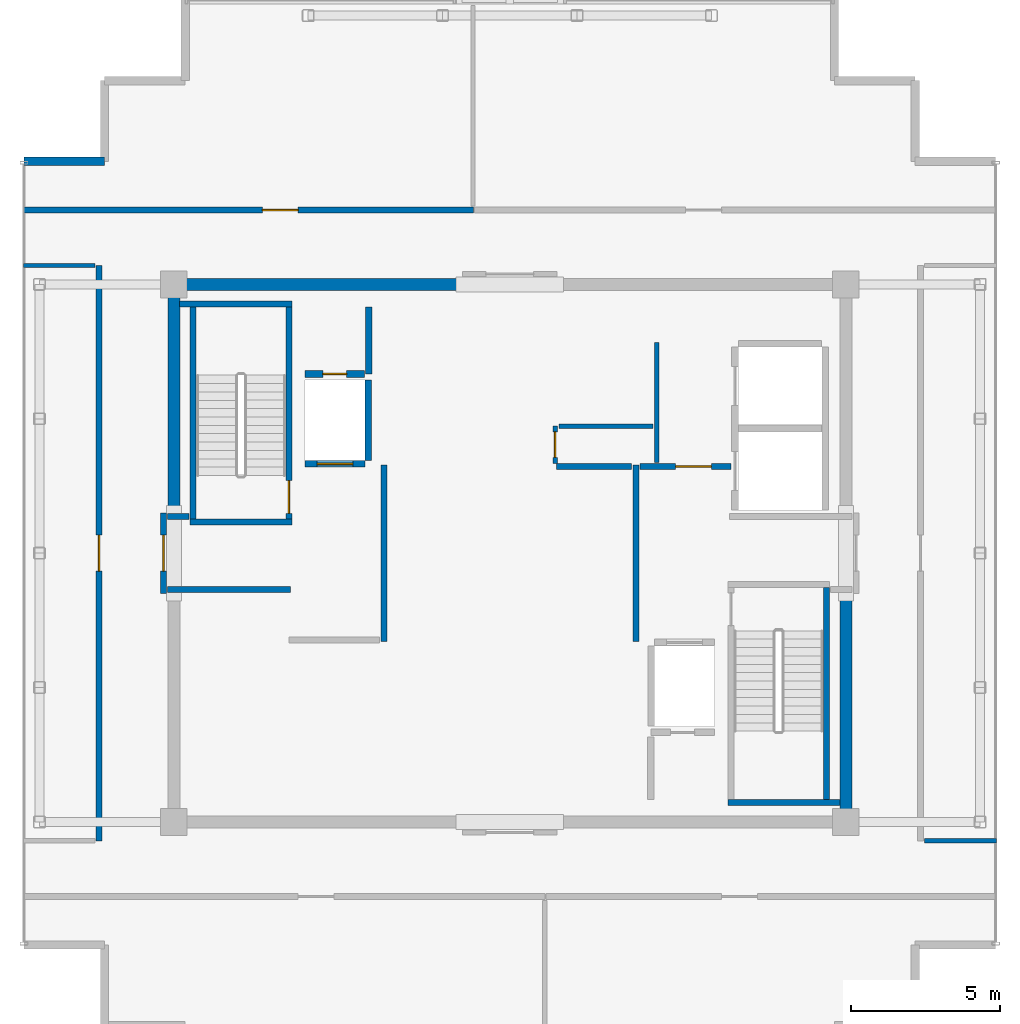
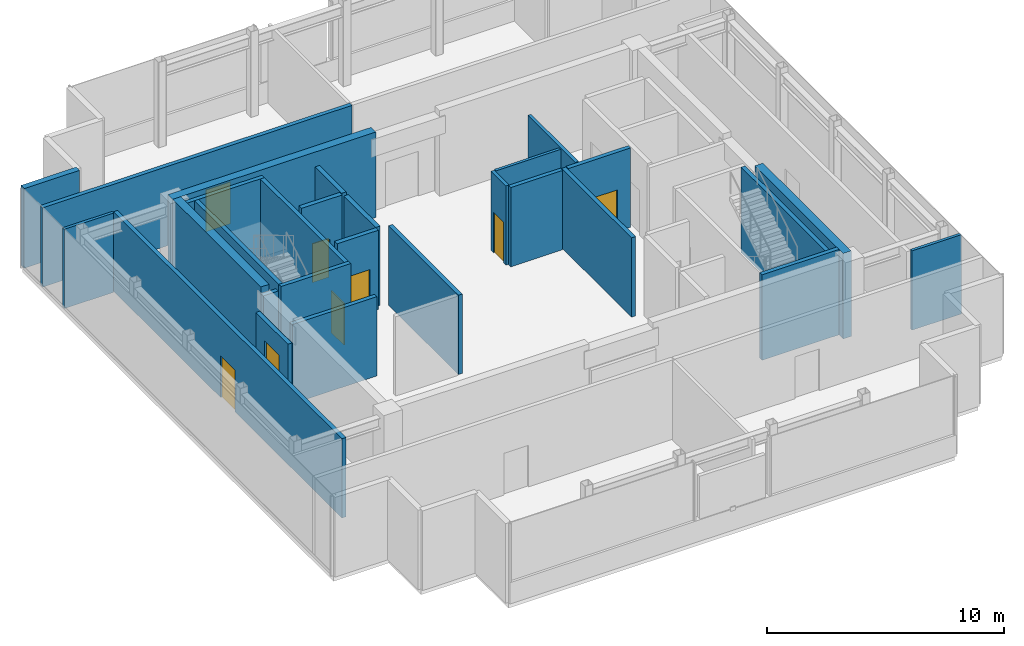
# One storey, part 12 of 14: 28 walls, 8 doors, 8 openings.
"""IFC4 building model written with IfcOpenShell, lengths in metres."""

from ifc_helpers import new_model, si_unit, direction, frame, frame_2d, origin, place, context, subcontext, project, spatial, rectangle, extrude, source, transform, mapped, material, layer, layer_set, type_object, element, fill, save


model = new_model("IFC4")

# Units and contexts
model_context = context("Model", 3, precision=1e-05, world=origin(), true_north=direction((0.0, 1.0)))
body_context = subcontext(model_context, "Body", "Model", "MODEL_VIEW")
ifc_project = project(units=[si_unit("LENGTHUNIT", "METRE"), si_unit("AREAUNIT", "SQUARE_METRE"), si_unit("VOLUMEUNIT", "CUBIC_METRE"), si_unit("PLANEANGLEUNIT", "RADIAN"), si_unit("MASSUNIT", "GRAM", prefix="KILO")], contexts=[model_context])

# Site, building, storey
site_placement = place(None, origin())
site = spatial("IfcSite", under=ifc_project, at=site_placement, CompositionType="ELEMENT")
building_placement = place(site_placement, origin())
building = spatial("IfcBuilding", under=site, at=building_placement, Name="Nefas-Gora Pilgrimage Tower", CompositionType="ELEMENT")
storey_placement = place(building_placement, frame((0.0, 0.0, 363.0)))
storey = spatial("IfcBuildingStorey", under=building, at=storey_placement, Name="L91", CompositionType="ELEMENT", Elevation=363.0)

# Walls
ifc_material_1 = material(Name="Concrete C50/60", Category="concrete")
ifc_layer_1 = layer(ifc_material_1, 0.39990234375)
ifc_layer_set_1 = layer_set([ifc_layer_1], Name="Concrete C50/60")
wall_type_1 = type_object("IfcWallType", Name="SW-CORE-400", PredefinedType="SHEAR", material=ifc_layer_set_1)
shared_shape_1 = source(origin(), body_context, "Body", "SweptSolid", [
    extrude(rectangle(XDim=9.89990234375, YDim=0.39990234375, at=frame_2d((4.949951171875, 0.0))), origin(), (0.0, 0.0, 1.0), 4.39990234375),
])
wall_1_placement = place(storey_placement, frame((-11.449951171875, 9.0, 0.0), z_axis=(0.0, 0.0, 1.0), x_axis=(1.0, 0.0, 0.0)))
element("IfcWall", 1, at=wall_1_placement, inside=storey, type_object=wall_type_1, Name="L91 Core Shear Wall N-West", PredefinedType="SHEAR", context=body_context, shape_type="MappedRepresentation", body=[
    mapped(shared_shape_1, transform((0.0, 0.0, 0.0), x_axis=(1.0, 0.0, 0.0), y_axis=(0.0, 1.0, 0.0), z_axis=(0.0, 0.0, 1.0), scale=1.0)),
])
shared_shape_2 = source(origin(), body_context, "Body", "SweptSolid", [
    extrude(rectangle(XDim=7.449951171875, YDim=0.39990234375, at=frame_2d((3.72509765625, 0.0))), origin(), (0.0, 0.0, 1.0), 4.39990234375),
])
for number, where, z_axis, x_axis, name in (
    (2, (-11.25, 1.35009765625, 0.0), (0.0, 0.0, 1.0), (0.0, 1.0, 0.0), "L91 Core Shear Wall W-North"),
    (3, (11.25, -8.800048828125, 0.0), (0.0, 0.0, 1.0), (0.0, 1.0, 0.0), "L91 Core Shear Wall E-South"),
):
    element("IfcWall", number, at=place(storey_placement, frame(where, z_axis=z_axis, x_axis=x_axis)), inside=storey, type_object=wall_type_1, Name=name, PredefinedType="SHEAR", context=body_context, shape_type="MappedRepresentation", body=[
        mapped(shared_shape_2, transform((0.0, 0.0, 0.0), x_axis=(1.0, 0.0, 0.0), y_axis=(0.0, 1.0, 0.0), z_axis=(0.0, 0.0, 1.0), scale=1.0)),
    ])
ifc_material_2 = material(Name="Precast concrete C45/55", Category="concrete")
ifc_layer_2 = layer(ifc_material_2, 0.280029296875)
ifc_layer_set_2 = layer_set([ifc_layer_2], Name="Precast concrete C45/55")
wall_type_2 = type_object("IfcWallType", Name="EW-PLANT-280", PredefinedType="SOLIDWALL", material=ifc_layer_set_2)
shared_shape_3 = source(origin(), body_context, "Body", "SweptSolid", [
    extrude(rectangle(XDim=2.699951171875, YDim=0.280029296875, at=frame_2d((1.35009765625, 0.0))), origin(), (0.0, 0.0, 1.0), 4.10009765625),
])
wall_2_placement = place(storey_placement, frame((-13.570068359375, 13.1201171875, 0.0), z_axis=(0.0, 0.0, 1.0), x_axis=(-1.0, 0.0, 0.0)))
element("IfcWall", 4, at=wall_2_placement, inside=storey, type_object=wall_type_2, Name="L91 Serrated Corner Shear Pier Wall 9", PredefinedType="SOLIDWALL", context=body_context, shape_type="MappedRepresentation", body=[
    mapped(shared_shape_3, transform((0.0, 0.0, 0.0), x_axis=(1.0, 0.0, 0.0), y_axis=(0.0, 1.0, 0.0), z_axis=(0.0, 0.0, 1.0), scale=1.0)),
])
ifc_material_3 = material(Name="Concrete C45/55", Category="concrete")
ifc_layer_3 = layer(ifc_material_3, 0.199951171875)
ifc_layer_set_3 = layer_set([ifc_layer_3], Name="Concrete C45/55")
wall_type_3 = type_object("IfcWallType", Name="IW-STAIR-200", PredefinedType="SOLIDWALL", material=ifc_layer_set_3)
shared_shape_4 = source(origin(), body_context, "Body", "SweptSolid", [
    extrude(rectangle(XDim=3.39990234375, YDim=0.199951171875, at=frame_2d((1.699951171875, 0.0))), origin(), (0.0, 0.0, 1.0), 4.39990234375),
])
wall_3_placement = place(storey_placement, frame((-7.300048828125, 1.050048828125, 0.0), z_axis=(0.0, 0.0, 1.0), x_axis=(-1.0, 0.0, 0.0)))
element("IfcWall", 5, at=wall_3_placement, inside=storey, type_object=wall_type_3, Name="L91 Stairwell Shear Wall ST-01-near", PredefinedType="SOLIDWALL", context=body_context, shape_type="MappedRepresentation", body=[
    mapped(shared_shape_4, transform((0.0, 0.0, 0.0), x_axis=(1.0, 0.0, 0.0), y_axis=(0.0, 1.0, 0.0), z_axis=(0.0, 0.0, 1.0), scale=1.0)),
])
shared_shape_5 = source(origin(), body_context, "Body", "SweptSolid", [
    extrude(rectangle(XDim=3.7548828125, YDim=0.199951171875, at=frame_2d((1.87744140625, 0.0))), origin(), (0.0, 0.0, 1.0), 4.39990234375),
])
for number, where, z_axis, x_axis, name in (
    (6, (-7.300048828125, 8.35009765625, 0.0), (0.0, 0.0, 1.0), (-1.0, 0.0, 0.0), "L91 Stairwell Shear Wall ST-01-far"),
    (7, (7.300048828125, -8.35009765625, 0.0), (0.0, 0.0, 1.0), (1.0, 0.0, 0.0), "L91 Stairwell Shear Wall ST-02-far"),
):
    element("IfcWall", number, at=place(storey_placement, frame(where, z_axis=z_axis, x_axis=x_axis)), inside=storey, type_object=wall_type_3, Name=name, PredefinedType="SOLIDWALL", context=body_context, shape_type="MappedRepresentation", body=[
        mapped(shared_shape_5, transform((0.0, 0.0, 0.0), x_axis=(1.0, 0.0, 0.0), y_axis=(0.0, 1.0, 0.0), z_axis=(0.0, 0.0, 1.0), scale=1.0)),
    ])

# Wall, opening, door
shared_shape_6 = source(origin(), body_context, "Body", "SweptSolid", [
    extrude(rectangle(XDim=7.10009765625, YDim=0.199951171875, at=frame_2d((3.550048828125, 0.0))), origin(), (0.0, 0.0, 1.0), 4.39990234375),
])
wall_4_placement = place(storey_placement, frame((-7.39990234375, 1.14990234375, 0.0), z_axis=(0.0, 0.0, 1.0), x_axis=(0.0, 1.0, 0.0)))
wall_4 = element("IfcWall", 8, at=wall_4_placement, inside=storey, type_object=wall_type_3, Name="L91 Stairwell Shear Wall ST-01-left", PredefinedType="SOLIDWALL", context=body_context, shape_type="MappedRepresentation", body=[
    mapped(shared_shape_6, transform((0.0, 0.0, 0.0), x_axis=(1.0, 0.0, 0.0), y_axis=(0.0, 1.0, 0.0), z_axis=(0.0, 0.0, 1.0), scale=1.0)),
])
opening_1_placement = place(wall_4_placement, frame((0.179931640625, 0.0, 0.0)))
opening_1 = element("IfcOpeningElement", 9, at=opening_1_placement, cuts=wall_4, Name="Opening ID-ST1", PredefinedType="OPENING", context=body_context, shape_type="SweptSolid", body=[
    extrude(rectangle(XDim=1.10009765625, YDim=2.14990234375, at=frame_2d((0.550048828125, 1.074951171875))), frame((0.0, 0.10986328125, 0.0), z_axis=(0.0, -1.0, 0.0), x_axis=(1.0, 0.0, 0.0)), (0.0, 0.0, 1.0), 0.219970703125),
])
ifc_material_4 = material(Name="Painted galvanised steel fire stair door", Category="steel")
door_type_1 = type_object("IfcDoorType", Name="DR-INT-STAIR-1100", OperationType="NOTDEFINED", PredefinedType="DOOR", material=ifc_material_4)
shared_shape_7 = source(origin(), body_context, "Body", "SweptSolid", [
    extrude(rectangle(XDim=1.10009765625, YDim=2.14990234375, at=frame_2d((0.550048828125, 1.074951171875))), frame((0.0, 0.02490234375, 0.0), z_axis=(0.0, -1.0, 0.0), x_axis=(1.0, 0.0, 0.0)), (0.0, 0.0, 1.0), 0.050048828125),
])
door_1_placement = place(opening_1_placement, origin())
door_1 = element("IfcDoor", 10, at=door_1_placement, inside=storey, type_object=door_type_1, Name="L91 Protected Exit Stair Door ST-01", OperationType="SINGLE_SWING_LEFT", OverallHeight=2.14990234375, OverallWidth=1.10009765625, PredefinedType="DOOR", context=body_context, shape_type="MappedRepresentation", body=[
    mapped(shared_shape_7, transform((0.0, 0.0, 0.0), x_axis=(1.0, 0.0, 0.0), y_axis=(0.0, 1.0, 0.0), z_axis=(0.0, 0.0, 1.0), scale=1.0)),
])
fill(opening_1, door_1)

# Walls
for number, where, z_axis, x_axis, name in (
    (11, (-10.60009765625, 1.14990234375, 0.0), (0.0, 0.0, 1.0), (0.0, 1.0, 0.0), "L91 Stairwell Shear Wall ST-01-right"),
    (12, (10.60009765625, -1.14990234375, 0.0), (0.0, 0.0, 1.0), (0.0, -1.0, 0.0), "L91 Stairwell Shear Wall ST-02-right"),
):
    element("IfcWall", number, at=place(storey_placement, frame(where, z_axis=z_axis, x_axis=x_axis)), inside=storey, type_object=wall_type_3, Name=name, PredefinedType="SOLIDWALL", context=body_context, shape_type="MappedRepresentation", body=[
        mapped(shared_shape_6, transform((0.0, 0.0, 0.0), x_axis=(1.0, 0.0, 0.0), y_axis=(0.0, 1.0, 0.0), z_axis=(0.0, 0.0, 1.0), scale=1.0)),
    ])

# Wall, opening, door
ifc_material_5 = material(Name="Concrete C40/50", Category="concrete")
ifc_layer_4 = layer(ifc_material_5, 0.219970703125)
ifc_layer_set_4 = layer_set([ifc_layer_4], Name="Concrete C40/50")
wall_type_4 = type_object("IfcWallType", Name="IW-SHAFT-220", PredefinedType="SOLIDWALL", material=ifc_layer_set_4)
shared_shape_8 = source(origin(), body_context, "Body", "SweptSolid", [
    extrude(rectangle(XDim=2.0, YDim=0.219970703125, at=frame_2d((1.0, 0.0))), origin(), (0.0, 0.0, 1.0), 4.0849609375),
])
wall_5_placement = place(storey_placement, frame((-6.85009765625, 2.989990234375, 0.0), z_axis=(0.0, 0.0, 1.0), x_axis=(1.0, 0.0, 0.0)))
wall_5 = element("IfcWall", 13, at=wall_5_placement, inside=storey, type_object=wall_type_4, Name="L91 Hoistway Wall FFL-01-S", PredefinedType="SOLIDWALL", context=body_context, shape_type="MappedRepresentation", body=[
    mapped(shared_shape_8, transform((0.0, 0.0, 0.0), x_axis=(1.0, 0.0, 0.0), y_axis=(0.0, 1.0, 0.0), z_axis=(0.0, 0.0, 1.0), scale=1.0)),
])
opening_2_placement = place(wall_5_placement, frame((0.39990234375, 0.0, 0.0)))
opening_2 = element("IfcOpeningElement", 14, at=opening_2_placement, cuts=wall_5, Name="Opening LD-FF", PredefinedType="OPENING", context=body_context, shape_type="SweptSolid", body=[
    extrude(rectangle(XDim=1.199951171875, YDim=2.199951171875, at=frame_2d((0.60009765625, 1.10009765625))), frame((0.0, 0.119873046875, 0.0), z_axis=(0.0, -1.0, 0.0), x_axis=(1.0, 0.0, 0.0)), (0.0, 0.0, 1.0), 0.239990234375),
])
ifc_material_6 = material(Name="Fire-service sliding lift landing door")
door_type_2 = type_object("IfcDoorType", Name="DR-LIFT-FSAE-1200", OperationType="SLIDING_TO_LEFT", PredefinedType="DOOR", material=ifc_material_6)
shared_shape_9 = source(origin(), body_context, "Body", "SweptSolid", [
    extrude(rectangle(XDim=1.199951171875, YDim=2.199951171875, at=frame_2d((0.60009765625, 1.10009765625))), frame((0.0, 0.02490234375, 0.0), z_axis=(0.0, -1.0, 0.0), x_axis=(1.0, 0.0, 0.0)), (0.0, 0.0, 1.0), 0.050048828125),
])
door_2_placement = place(opening_2_placement, origin())
door_2 = element("IfcDoor", 15, at=door_2_placement, inside=storey, type_object=door_type_2, Name="L91 Sliding Lift Landing Door FFL-01", OperationType="SLIDING_TO_LEFT", OverallHeight=2.199951171875, OverallWidth=1.199951171875, PredefinedType="DOOR", context=body_context, shape_type="MappedRepresentation", body=[
    mapped(shared_shape_9, transform((0.0, 0.0, 0.0), x_axis=(1.0, 0.0, 0.0), y_axis=(0.0, 1.0, 0.0), z_axis=(0.0, 0.0, 1.0), scale=1.0)),
])
fill(opening_2, door_2)

# Walls
shared_shape_10 = source(origin(), body_context, "Body", "SweptSolid", [
    extrude(rectangle(XDim=2.679931640625, YDim=0.219970703125, at=frame_2d((1.33984375, 0.0))), origin(), (0.0, 0.0, 1.0), 4.0849609375),
])
wall_6_placement = place(storey_placement, frame((-4.739990234375, 3.110107421875, 0.0), z_axis=(0.0, 0.0, 1.0), x_axis=(0.0, 1.0, 0.0)))
element("IfcWall", 16, at=wall_6_placement, inside=storey, type_object=wall_type_4, Name="L91 Hoistway Wall FFL-01-E", PredefinedType="SOLIDWALL", context=body_context, shape_type="MappedRepresentation", body=[
    mapped(shared_shape_10, transform((0.0, 0.0, 0.0), x_axis=(1.0, 0.0, 0.0), y_axis=(0.0, 1.0, 0.0), z_axis=(0.0, 0.0, 1.0), scale=1.0)),
])
shared_shape_11 = source(origin(), body_context, "Body", "SweptSolid", [
    extrude(rectangle(XDim=2.25, YDim=0.219970703125, at=frame_2d((1.125, 0.0))), origin(), (0.0, 0.0, 1.0), 4.0849609375),
])
wall_7_placement = place(storey_placement, frame((-4.719970703125, 6.0, 0.0), z_axis=(0.0, 0.0, 1.0), x_axis=(0.0, 1.0, 0.0)))
element("IfcWall", 17, at=wall_7_placement, inside=storey, type_object=wall_type_4, Name="L91 Riser Shaft Wall 1", PredefinedType="SOLIDWALL", context=body_context, shape_type="MappedRepresentation", body=[
    mapped(shared_shape_11, transform((0.0, 0.0, 0.0), x_axis=(1.0, 0.0, 0.0), y_axis=(0.0, 1.0, 0.0), z_axis=(0.0, 0.0, 1.0), scale=1.0)),
])

# Wall, opening, door
shared_shape_12 = source(origin(), body_context, "Body", "SweptSolid", [
    extrude(rectangle(XDim=1.97998046875, YDim=0.219970703125, at=frame_2d((0.989990234375, 0.0))), origin(), (0.0, 0.0, 1.0), 4.0849609375),
])
wall_8_placement = place(storey_placement, frame((-6.85009765625, 6.0, 0.0), z_axis=(0.0, 0.0, 1.0), x_axis=(1.0, 0.0, 0.0)))
wall_8 = element("IfcWall", 18, at=wall_8_placement, inside=storey, type_object=wall_type_4, Name="L91 Riser Shaft Wall 2", PredefinedType="SOLIDWALL", context=body_context, shape_type="MappedRepresentation", body=[
    mapped(shared_shape_12, transform((0.0, 0.0, 0.0), x_axis=(1.0, 0.0, 0.0), y_axis=(0.0, 1.0, 0.0), z_axis=(0.0, 0.0, 1.0), scale=1.0)),
])
opening_3_placement = place(wall_8_placement, frame((0.590087890625, 0.0, 0.0)))
opening_3 = element("IfcOpeningElement", 19, at=opening_3_placement, cuts=wall_8, Name="Opening ID-TR1", PredefinedType="OPENING", context=body_context, shape_type="SweptSolid", body=[
    extrude(rectangle(XDim=0.800048828125, YDim=2.0, at=frame_2d((0.39990234375, 1.0))), frame((0.0, 0.119873046875, 0.0), z_axis=(0.0, -1.0, 0.0), x_axis=(1.0, 0.0, 0.0)), (0.0, 0.0, 1.0), 0.239990234375),
])
ifc_material_7 = material(Name="Riser maintenance fire access door")
door_type_3 = type_object("IfcDoorType", Name="DR-INT-TRAP-800", OperationType="NOTDEFINED", PredefinedType="TRAPDOOR", material=ifc_material_7)
shared_shape_13 = source(origin(), body_context, "Body", "SweptSolid", [
    extrude(rectangle(XDim=0.800048828125, YDim=2.0, at=frame_2d((0.39990234375, 1.0))), frame((0.0, 0.02490234375, 0.0), z_axis=(0.0, -1.0, 0.0), x_axis=(1.0, 0.0, 0.0)), (0.0, 0.0, 1.0), 0.050048828125),
])
door_3_placement = place(opening_3_placement, origin())
door_3 = element("IfcDoor", 20, at=door_3_placement, inside=storey, type_object=door_type_3, Name="L91 Riser Shaft Door 1", OperationType="SINGLE_SWING_LEFT", OverallHeight=2.0, OverallWidth=0.800048828125, PredefinedType="TRAPDOOR", context=body_context, shape_type="MappedRepresentation", body=[
    mapped(shared_shape_13, transform((0.0, 0.0, 0.0), x_axis=(1.0, 0.0, 0.0), y_axis=(0.0, 1.0, 0.0), z_axis=(0.0, 0.0, 1.0), scale=1.0)),
])
fill(opening_3, door_3)

# Walls
ifc_material_8 = material(Name="Gypsum fire-rated shaftwall")
ifc_layer_5 = layer(ifc_material_8, 0.199951171875)
ifc_layer_set_5 = layer_set([ifc_layer_5], Name="Gypsum fire-rated shaftwall")
wall_type_5 = type_object("IfcWallType", Name="IW-FFLOB-200", PredefinedType="PARTITIONING", material=ifc_layer_set_5)
shared_shape_14 = source(origin(), body_context, "Body", "SweptSolid", [
    extrude(rectangle(XDim=5.89990234375, YDim=0.199951171875, at=frame_2d((2.949951171875, 0.0))), origin(), (0.0, 0.0, 1.0), 4.0849609375),
])
for number, where, z_axis, x_axis, name in (
    (21, (-4.219970703125, -2.949951171875, 0.0), (0.0, 0.0, 1.0), (0.0, 1.0, 0.0), "L91 FF Lobby West Inner Wall Wall 6"),
    (22, (4.219970703125, -2.949951171875, 0.0), (0.0, 0.0, 1.0), (0.0, 1.0, 0.0), "L91 FF Lobby East Inner Wall Wall 11"),
):
    element("IfcWall", number, at=place(storey_placement, frame(where, z_axis=z_axis, x_axis=x_axis)), inside=storey, type_object=wall_type_5, Name=name, PredefinedType="PARTITIONING", context=body_context, shape_type="MappedRepresentation", body=[
        mapped(shared_shape_14, transform((0.0, 0.0, 0.0), x_axis=(1.0, 0.0, 0.0), y_axis=(0.0, 1.0, 0.0), z_axis=(0.0, 0.0, 1.0), scale=1.0)),
    ])

# Wall, opening, door
shared_shape_15 = source(origin(), body_context, "Body", "SweptSolid", [
    extrude(rectangle(XDim=3.039794921875, YDim=0.199951171875, at=frame_2d((1.52001953125, 0.0))), origin(), (0.0, 0.0, 1.0), 4.0849609375),
])
wall_9_placement = place(storey_placement, frame((4.360107421875, 2.89990234375, 0.0), z_axis=(0.0, 0.0, 1.0), x_axis=(1.0, 0.0, 0.0)))
wall_9 = element("IfcWall", 23, at=wall_9_placement, inside=storey, type_object=wall_type_5, Name="L91 FF Lobby East North Wall Wall 13", PredefinedType="PARTITIONING", context=body_context, shape_type="MappedRepresentation", body=[
    mapped(shared_shape_15, transform((0.0, 0.0, 0.0), x_axis=(1.0, 0.0, 0.0), y_axis=(0.0, 1.0, 0.0), z_axis=(0.0, 0.0, 1.0), scale=1.0)),
])
opening_4_placement = place(wall_9_placement, frame((1.18994140625, 0.0, 0.0)))
opening_4 = element("IfcOpeningElement", 24, at=opening_4_placement, cuts=wall_9, Name="Opening ID-PL1", PredefinedType="OPENING", context=body_context, shape_type="SweptSolid", body=[
    extrude(rectangle(XDim=1.199951171875, YDim=2.14990234375, at=frame_2d((0.60009765625, 1.074951171875))), frame((0.0, 0.10986328125, 0.0), z_axis=(0.0, -1.0, 0.0), x_axis=(1.0, 0.0, 0.0)), (0.0, 0.0, 1.0), 0.219970703125),
])
ifc_material_9 = material(Name="Heavy-duty steel plant room fire door", Category="steel")
door_type_4 = type_object("IfcDoorType", Name="DR-INT-PLANT-1200", OperationType="NOTDEFINED", PredefinedType="DOOR", material=ifc_material_9)
shared_shape_16 = source(origin(), body_context, "Body", "SweptSolid", [
    extrude(rectangle(XDim=1.199951171875, YDim=2.14990234375, at=frame_2d((0.60009765625, 1.074951171875))), frame((0.0, 0.02490234375, 0.0), z_axis=(0.0, -1.0, 0.0), x_axis=(1.0, 0.0, 0.0)), (0.0, 0.0, 1.0), 0.050048828125),
])
door_4_placement = place(opening_4_placement, origin())
door_4 = element("IfcDoor", 25, at=door_4_placement, inside=storey, type_object=door_type_4, Name="L91 Service Lift Lobby Door Door 5", OperationType="SINGLE_SWING_LEFT", OverallHeight=2.14990234375, OverallWidth=1.199951171875, PredefinedType="DOOR", context=body_context, shape_type="MappedRepresentation", body=[
    mapped(shared_shape_16, transform((0.0, 0.0, 0.0), x_axis=(1.0, 0.0, 0.0), y_axis=(0.0, 1.0, 0.0), z_axis=(0.0, 0.0, 1.0), scale=1.0)),
])
fill(opening_4, door_4)

# Walls
shared_shape_17 = source(origin(), body_context, "Body", "SweptSolid", [
    extrude(rectangle(XDim=0.719970703125, YDim=0.199951171875, at=frame_2d((0.35986328125, 0.0))), origin(), (0.0, 0.0, 1.0), 4.0849609375),
])
wall_10_placement = place(storey_placement, frame((-11.4599609375, 1.219970703125, 0.0), z_axis=(0.0, 0.0, 1.0), x_axis=(1.0, 0.0, 0.0)))
element("IfcWall", 26, at=wall_10_placement, inside=storey, type_object=wall_type_5, Name="L91 FF Lobby West Throat N Wall 8", PredefinedType="PARTITIONING", context=body_context, shape_type="MappedRepresentation", body=[
    mapped(shared_shape_17, transform((0.0, 0.0, 0.0), x_axis=(1.0, 0.0, 0.0), y_axis=(0.0, 1.0, 0.0), z_axis=(0.0, 0.0, 1.0), scale=1.0)),
])
shared_shape_18 = source(origin(), body_context, "Body", "SweptSolid", [
    extrude(rectangle(XDim=4.10986328125, YDim=0.199951171875, at=frame_2d((2.054931640625, 0.0))), origin(), (0.0, 0.0, 1.0), 4.0849609375),
])
wall_11_placement = place(storey_placement, frame((-11.4599609375, -1.219970703125, 0.0), z_axis=(0.0, 0.0, 1.0), x_axis=(1.0, 0.0, 0.0)))
element("IfcWall", 27, at=wall_11_placement, inside=storey, type_object=wall_type_5, Name="L91 FF Lobby West Throat S Wall 9", PredefinedType="PARTITIONING", context=body_context, shape_type="MappedRepresentation", body=[
    mapped(shared_shape_18, transform((0.0, 0.0, 0.0), x_axis=(1.0, 0.0, 0.0), y_axis=(0.0, 1.0, 0.0), z_axis=(0.0, 0.0, 1.0), scale=1.0)),
])
shared_shape_19 = source(origin(), body_context, "Body", "SweptSolid", [
    extrude(rectangle(XDim=2.52001953125, YDim=0.199951171875, at=frame_2d((1.260009765625, 0.0))), origin(), (0.0, 0.0, 1.0), 4.0849609375),
])
wall_12_placement = place(storey_placement, frame((1.56005859375, 2.89990234375, 0.0), z_axis=(0.0, 0.0, 1.0), x_axis=(1.0, 0.0, 0.0)))
element("IfcWall", 28, at=wall_12_placement, inside=storey, type_object=wall_type_5, Name="L91 FF Lobby East North Wall Wall 12", PredefinedType="PARTITIONING", context=body_context, shape_type="MappedRepresentation", body=[
    mapped(shared_shape_19, transform((0.0, 0.0, 0.0), x_axis=(1.0, 0.0, 0.0), y_axis=(0.0, 1.0, 0.0), z_axis=(0.0, 0.0, 1.0), scale=1.0)),
])
ifc_material_10 = material(Name="Gypsum acoustic stud partition")
ifc_layer_6 = layer(ifc_material_10, 0.159912109375)
ifc_layer_set_6 = layer_set([ifc_layer_6], Name="Gypsum acoustic stud partition")
wall_type_6 = type_object("IfcWallType", Name="IW-CORR-160", PredefinedType="PARTITIONING", material=ifc_layer_set_6)
shared_shape_20 = source(origin(), body_context, "Body", "SweptSolid", [
    extrude(rectangle(XDim=4.010009765625, YDim=0.159912109375, at=frame_2d((2.0048828125, 0.0))), origin(), (0.0, 0.0, 1.0), 4.0849609375),
])
wall_13_placement = place(storey_placement, frame((4.919921875, 3.0400390625, 0.0), z_axis=(0.0, 0.0, 1.0), x_axis=(0.0, 1.0, 0.0)))
element("IfcWall", 29, at=wall_13_placement, inside=storey, type_object=wall_type_6, Name="L91 Service Lift Lobby West Wall Wall 18", PredefinedType="PARTITIONING", context=body_context, shape_type="MappedRepresentation", body=[
    mapped(shared_shape_20, transform((0.0, 0.0, 0.0), x_axis=(1.0, 0.0, 0.0), y_axis=(0.0, 1.0, 0.0), z_axis=(0.0, 0.0, 1.0), scale=1.0)),
])

# Wall, opening, door
shared_shape_21 = source(origin(), body_context, "Body", "SweptSolid", [
    extrude(rectangle(XDim=1.25, YDim=0.159912109375, at=frame_2d((0.625, 0.0))), origin(), (0.0, 0.0, 1.0), 4.0849609375),
])
wall_14_placement = place(storey_placement, frame((1.52001953125, 3.010009765625, 0.0), z_axis=(0.0, 0.0, 1.0), x_axis=(0.0, 1.0, 0.0)))
wall_14 = element("IfcWall", 30, at=wall_14_placement, inside=storey, type_object=wall_type_6, Name="L91 Core Communications Room Wall 19", PredefinedType="PARTITIONING", context=body_context, shape_type="MappedRepresentation", body=[
    mapped(shared_shape_21, transform((0.0, 0.0, 0.0), x_axis=(1.0, 0.0, 0.0), y_axis=(0.0, 1.0, 0.0), z_axis=(0.0, 0.0, 1.0), scale=1.0)),
])
opening_5_placement = place(wall_14_placement, frame((0.199951171875, 0.0, 0.0)))
opening_5 = element("IfcOpeningElement", 31, at=opening_5_placement, cuts=wall_14, Name="Opening ID-BT1", PredefinedType="OPENING", context=body_context, shape_type="SweptSolid", body=[
    extrude(rectangle(XDim=0.85009765625, YDim=2.10009765625, at=frame_2d((0.425048828125, 1.050048828125))), frame((0.0, 0.08984375, 0.0), z_axis=(0.0, -1.0, 0.0), x_axis=(1.0, 0.0, 0.0)), (0.0, 0.0, 1.0), 0.179931640625),
])
ifc_material_11 = material(Name="Moisture-resistant fire-rated timber door", Category="wood")
door_type_5 = type_object("IfcDoorType", Name="DR-INT-BATH-850", OperationType="NOTDEFINED", PredefinedType="DOOR", material=ifc_material_11)
shared_shape_22 = source(origin(), body_context, "Body", "SweptSolid", [
    extrude(rectangle(XDim=0.85009765625, YDim=2.10009765625, at=frame_2d((0.425048828125, 1.050048828125))), frame((0.0, 0.02490234375, 0.0), z_axis=(0.0, -1.0, 0.0), x_axis=(1.0, 0.0, 0.0)), (0.0, 0.0, 1.0), 0.050048828125),
])
door_5_placement = place(opening_5_placement, origin())
door_5 = element("IfcDoor", 32, at=door_5_placement, inside=storey, type_object=door_type_5, Name="L91 Core Communications Room Door 8", OperationType="SINGLE_SWING_RIGHT", OverallHeight=2.10009765625, OverallWidth=0.85009765625, PredefinedType="DOOR", context=body_context, shape_type="MappedRepresentation", body=[
    mapped(shared_shape_22, transform((0.0, 0.0, 0.0), x_axis=(1.0, 0.0, 0.0), y_axis=(0.0, 1.0, 0.0), z_axis=(0.0, 0.0, 1.0), scale=1.0)),
])
fill(opening_5, door_5)

# Wall
ifc_material_12 = material(Name="Gypsum twin-stud partition")
ifc_layer_7 = layer(ifc_material_12, 0.139892578125)
ifc_layer_set_7 = layer_set([ifc_layer_7], Name="Gypsum twin-stud partition")
wall_type_7 = type_object("IfcWallType", Name="IW-UNIT-140", PredefinedType="PARTITIONING", material=ifc_layer_set_7)
shared_shape_23 = source(origin(), body_context, "Body", "SweptSolid", [
    extrude(rectangle(XDim=3.150146484375, YDim=0.139892578125, at=frame_2d((1.5751953125, 0.0))), origin(), (0.0, 0.0, 1.0), 4.0849609375),
])
wall_15_placement = place(storey_placement, frame((1.639892578125, 4.25, 0.0), z_axis=(0.0, 0.0, 1.0), x_axis=(1.0, 0.0, 0.0)))
element("IfcWall", 33, at=wall_15_placement, inside=storey, type_object=wall_type_7, Name="L91 Core Communications Room Partition Wall 20", PredefinedType="PARTITIONING", context=body_context, shape_type="MappedRepresentation", body=[
    mapped(shared_shape_23, transform((0.0, 0.0, 0.0), x_axis=(1.0, 0.0, 0.0), y_axis=(0.0, 1.0, 0.0), z_axis=(0.0, 0.0, 1.0), scale=1.0)),
])

# Wall, opening, door
ifc_layer_8 = layer(ifc_material_5, 0.199951171875)
ifc_layer_set_8 = layer_set([ifc_layer_8], Name="Concrete C40/50")
wall_type_8 = type_object("IfcWallType", Name="IW-PLANT-200", PredefinedType="SOLIDWALL", material=ifc_layer_set_8)
shared_shape_24 = source(origin(), body_context, "Body", "SweptSolid", [
    extrude(rectangle(XDim=19.27978515625, YDim=0.199951171875, at=frame_2d((9.639892578125, 0.0))), origin(), (0.0, 0.0, 1.0), 4.0849609375),
])
wall_16_placement = place(storey_placement, frame((-13.75, -9.639892578125, 0.0), z_axis=(0.0, 0.0, 1.0), x_axis=(0.0, 1.0, 0.0)))
wall_16 = element("IfcWall", 34, at=wall_16_placement, inside=storey, type_object=wall_type_8, Name="L91 Emergency Power Switchgear Plant Room Partition Wall 21", PredefinedType="SOLIDWALL", context=body_context, shape_type="MappedRepresentation", body=[
    mapped(shared_shape_24, transform((0.0, 0.0, 0.0), x_axis=(1.0, 0.0, 0.0), y_axis=(0.0, 1.0, 0.0), z_axis=(0.0, 0.0, 1.0), scale=1.0)),
])
opening_6_placement = place(wall_16_placement, frame((9.0400390625, 0.0, 0.0)))
opening_6 = element("IfcOpeningElement", 35, at=opening_6_placement, cuts=wall_16, Name="Opening ID-PL1", PredefinedType="OPENING", context=body_context, shape_type="SweptSolid", body=[
    extrude(rectangle(XDim=1.199951171875, YDim=2.14990234375, at=frame_2d((0.60009765625, 1.074951171875))), frame((0.0, 0.10986328125, 0.0), z_axis=(0.0, -1.0, 0.0), x_axis=(1.0, 0.0, 0.0)), (0.0, 0.0, 1.0), 0.219970703125),
])
door_6_placement = place(opening_6_placement, origin())
door_6 = element("IfcDoor", 36, at=door_6_placement, inside=storey, type_object=door_type_4, Name="L91 Emergency Power Switchgear Plant Room Door 9", OperationType="SINGLE_SWING_LEFT", OverallHeight=2.14990234375, OverallWidth=1.199951171875, PredefinedType="DOOR", context=body_context, shape_type="MappedRepresentation", body=[
    mapped(shared_shape_16, transform((0.0, 0.0, 0.0), x_axis=(1.0, 0.0, 0.0), y_axis=(0.0, 1.0, 0.0), z_axis=(0.0, 0.0, 1.0), scale=1.0)),
])
fill(opening_6, door_6)

# Walls
shared_shape_25 = source(origin(), body_context, "Body", "SweptSolid", [
    extrude(rectangle(XDim=2.400146484375, YDim=0.139892578125, at=frame_2d((1.2001953125, 0.0))), origin(), (0.0, 0.0, 1.0), 4.0849609375),
])
for number, where, z_axis, x_axis, name in (
    (37, (-16.2900390625, 9.6298828125, 0.0), (0.0, 0.0, 1.0), (1.0, 0.0, 0.0), "L91 Emergency Power Switchgear Plant Room Partition Wall 23"),
    (38, (13.889892578125, -9.6298828125, 0.0), (0.0, 0.0, 1.0), (1.0, 0.0, 0.0), "L91 Tower Elevator Machine Plant Room Partition Wall 26"),
):
    element("IfcWall", number, at=place(storey_placement, frame(where, z_axis=z_axis, x_axis=x_axis)), inside=storey, type_object=wall_type_7, Name=name, PredefinedType="PARTITIONING", context=body_context, shape_type="MappedRepresentation", body=[
        mapped(shared_shape_25, transform((0.0, 0.0, 0.0), x_axis=(1.0, 0.0, 0.0), y_axis=(0.0, 1.0, 0.0), z_axis=(0.0, 0.0, 1.0), scale=1.0)),
    ])

# Wall, opening, door
shared_shape_26 = source(origin(), body_context, "Body", "SweptSolid", [
    extrude(rectangle(XDim=2.7001953125, YDim=0.199951171875, at=frame_2d((1.35009765625, 0.0))), origin(), (0.0, 0.0, 1.0), 3.175048828125),
])
wall_17_placement = place(storey_placement, frame((-11.60009765625, -1.35009765625, 0.0), z_axis=(0.0, 0.0, 1.0), x_axis=(0.0, 1.0, 0.0)))
wall_17 = element("IfcWall", 39, at=wall_17_placement, inside=storey, type_object=wall_type_5, Name="L91 FF Lobby West Portal Wall 5", PredefinedType="PARTITIONING", context=body_context, shape_type="MappedRepresentation", body=[
    mapped(shared_shape_26, transform((0.0, 0.0, 0.0), x_axis=(1.0, 0.0, 0.0), y_axis=(0.0, 1.0, 0.0), z_axis=(0.0, 0.0, 1.0), scale=1.0)),
])
opening_7_placement = place(wall_17_placement, frame((0.75, 0.0, 0.0)))
opening_7 = element("IfcOpeningElement", 40, at=opening_7_placement, cuts=wall_17, Name="Opening ID-FF1", PredefinedType="OPENING", context=body_context, shape_type="SweptSolid", body=[
    extrude(rectangle(XDim=1.199951171875, YDim=2.14990234375, at=frame_2d((0.60009765625, 1.074951171875))), frame((0.0, 0.10986328125, 0.0), z_axis=(0.0, -1.0, 0.0), x_axis=(1.0, 0.0, 0.0)), (0.0, 0.0, 1.0), 0.219970703125),
])
ifc_material_13 = material(Name="Smoke-sealed steel firefighting lobby door", Category="steel")
door_type_6 = type_object("IfcDoorType", Name="DR-INT-FFLOB-1200", OperationType="NOTDEFINED", PredefinedType="DOOR", material=ifc_material_13)
door_7_placement = place(opening_7_placement, origin())
door_7 = element("IfcDoor", 41, at=door_7_placement, inside=storey, type_object=door_type_6, Name="L91 FF Lobby West Portal Door 3", OperationType="SINGLE_SWING_LEFT", OverallHeight=2.14990234375, OverallWidth=1.199951171875, PredefinedType="DOOR", context=body_context, shape_type="MappedRepresentation", body=[
    mapped(shared_shape_16, transform((0.0, 0.0, 0.0), x_axis=(1.0, 0.0, 0.0), y_axis=(0.0, 1.0, 0.0), z_axis=(0.0, 0.0, 1.0), scale=1.0)),
])
fill(opening_7, door_7)

shared_shape_27 = source(origin(), body_context, "Body", "SweptSolid", [
    extrude(rectangle(XDim=15.070068359375, YDim=0.199951171875, at=frame_2d((7.53515625, 0.0))), origin(), (0.0, 0.0, 1.0), 4.0849609375),
])
wall_18_placement = place(storey_placement, frame((-16.2900390625, 11.489990234375, 0.0), z_axis=(0.0, 0.0, 1.0), x_axis=(1.0, 0.0, 0.0)))
wall_18 = element("IfcWall", 42, at=wall_18_placement, inside=storey, type_object=wall_type_8, Name="L91 Water-Cooled Chiller Plant Room Partition Wall 27", PredefinedType="SOLIDWALL", context=body_context, shape_type="MappedRepresentation", body=[
    mapped(shared_shape_27, transform((0.0, 0.0, 0.0), x_axis=(1.0, 0.0, 0.0), y_axis=(0.0, 1.0, 0.0), z_axis=(0.0, 0.0, 1.0), scale=1.0)),
])
opening_8_placement = place(wall_18_placement, frame((8.001220703125, 0.0, 0.0)))
opening_8 = element("IfcOpeningElement", 43, at=opening_8_placement, cuts=wall_18, Name="Opening ID-PL1", PredefinedType="OPENING", context=body_context, shape_type="SweptSolid", body=[
    extrude(rectangle(XDim=1.199951171875, YDim=2.14990234375, at=frame_2d((0.60009765625, 1.074951171875))), frame((0.0, 0.10986328125, 0.0), z_axis=(0.0, -1.0, 0.0), x_axis=(1.0, 0.0, 0.0)), (0.0, 0.0, 1.0), 0.219970703125),
])
door_8_placement = place(opening_8_placement, origin())
door_8 = element("IfcDoor", 44, at=door_8_placement, inside=storey, type_object=door_type_4, Name="L91 Water-Cooled Chiller Plant Room Door 11", OperationType="SINGLE_SWING_LEFT", OverallHeight=2.14990234375, OverallWidth=1.199951171875, PredefinedType="DOOR", context=body_context, shape_type="MappedRepresentation", body=[
    mapped(shared_shape_16, transform((0.0, 0.0, 0.0), x_axis=(1.0, 0.0, 0.0), y_axis=(0.0, 1.0, 0.0), z_axis=(0.0, 0.0, 1.0), scale=1.0)),
])
fill(opening_8, door_8)

save(model, "model.ifc")
